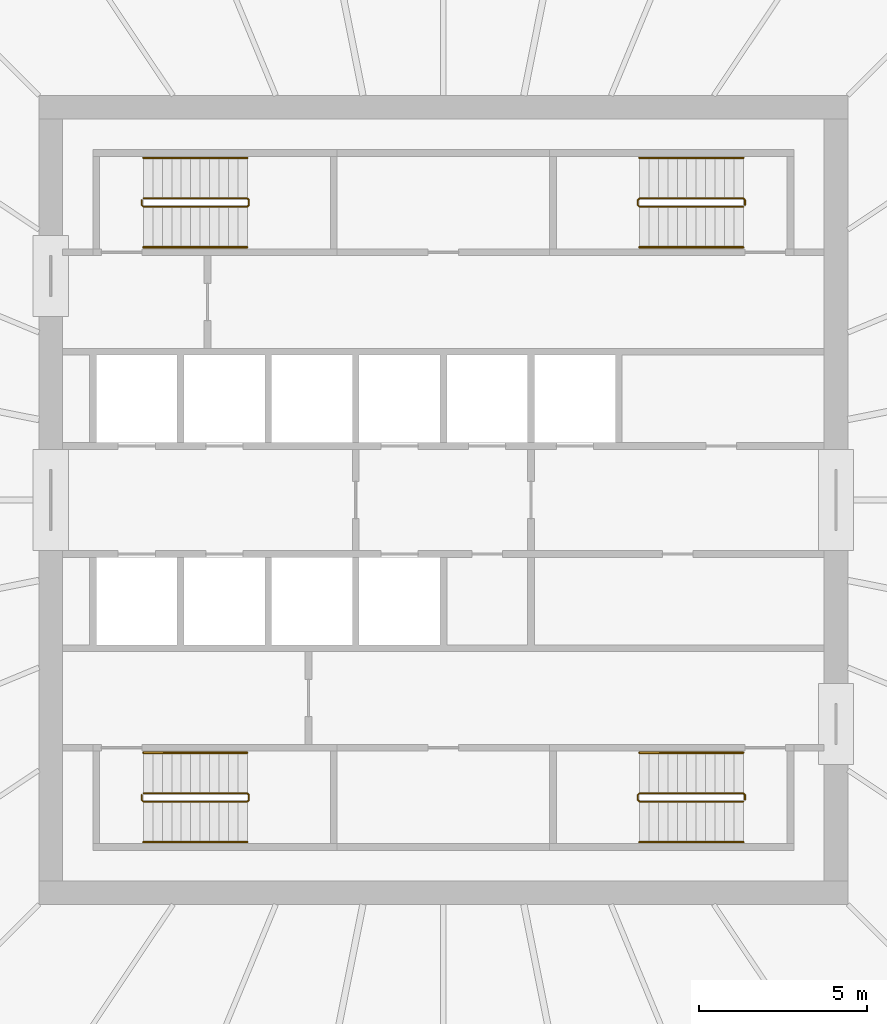
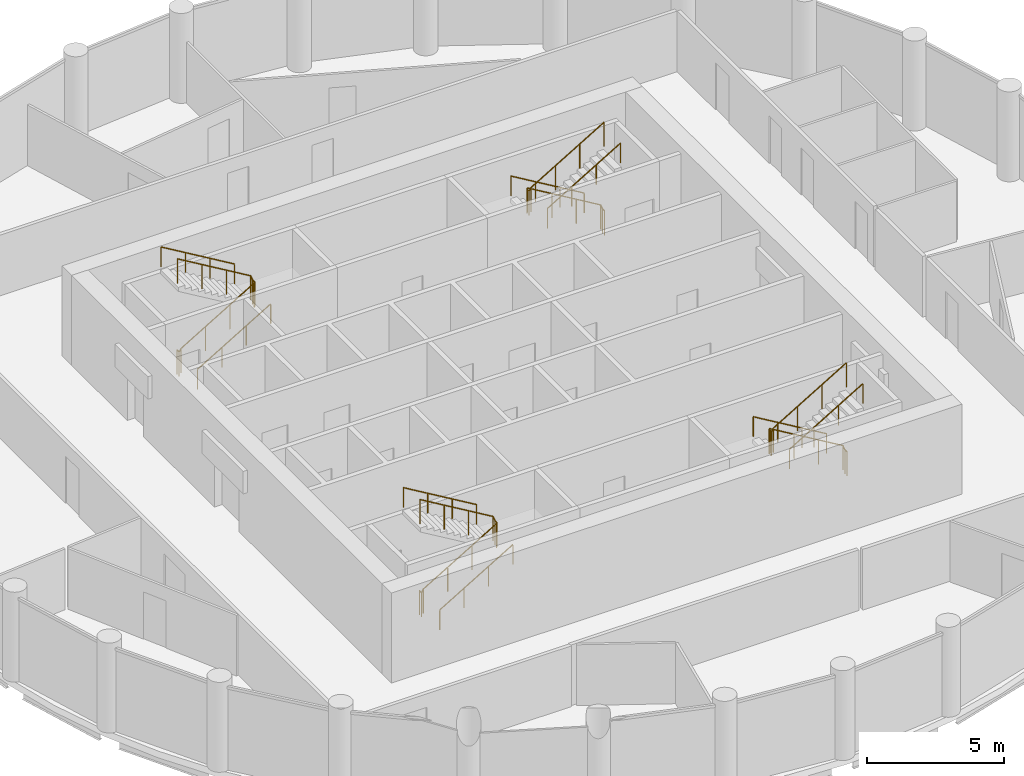
# One storey, part 7 of 7: 12 railings.
"""IFC4 building model written with IfcOpenShell, lengths in metres."""

from ifc_helpers import new_model, si_unit, direction, frame, origin, origin_2d, place, context, subcontext, project, spatial, circle, extrude, material, type_object, element, save


model = new_model("IFC4")

# Units and contexts
model_context = context("Model", 3, precision=1e-05, world=origin(), true_north=direction((0.0, 1.0)))
body_context = subcontext(model_context, "Body", "Model", "MODEL_VIEW")
ifc_project = project(units=[si_unit("LENGTHUNIT", "METRE"), si_unit("AREAUNIT", "SQUARE_METRE"), si_unit("VOLUMEUNIT", "CUBIC_METRE"), si_unit("PLANEANGLEUNIT", "RADIAN"), si_unit("MASSUNIT", "GRAM", prefix="KILO")], contexts=[model_context])

# Site, building, storey
site_placement = place(None, origin())
site = spatial("IfcSite", under=ifc_project, at=site_placement, CompositionType="ELEMENT")
building_placement = place(site_placement, origin())
building = spatial("IfcBuilding", under=site, at=building_placement, Name="Corvane Civic Tower", CompositionType="ELEMENT")
storey_placement = place(building_placement, frame((0.0, 0.0, 283.0)))
storey = spatial("IfcBuildingStorey", under=building, at=storey_placement, Name="L67", CompositionType="ELEMENT", Elevation=283.0)

# Railings
ifc_material_1 = material(Name="Steel ASTM A572 Gr 50", Category="steel")
railing_type_1 = type_object("IfcRailingType", Name="ST-GUARD-1100", PredefinedType="GUARDRAIL", material=ifc_material_1)
railing_1_placement = place(storey_placement, frame((8.949951171875, 8.75, 0.0)))
element("IfcRailing", 1, at=railing_1_placement, inside=storey, type_object=railing_type_1, Name="L67 ST1 stair guard 1", PredefinedType="GUARDRAIL", context=body_context, shape_type="SweptSolid", body=[
    extrude(circle(Radius=0.02392578125, at=origin_2d()), frame((0.0, 0.0, 1.076171875), z_axis=(0.0, 1.0, 0.0), x_axis=(-1.0, 0.0, 0.0)), (0.0, 0.0, 1.0), 0.14990234375),
    extrude(circle(Radius=0.02392578125, at=origin_2d()), frame((0.0, 0.14990234375, 1.076171875), z_axis=(-0.27628659633, 0.27628659633, 0.920506074601), x_axis=(-0.707106781187, -0.707106781187, 0.0)), (0.0, 0.0, 1.0), 0.18115234375),
    extrude(circle(Radius=0.02392578125, at=origin_2d()), frame((-0.050048828125, 0.199951171875, 1.24267578125), z_axis=(-0.859290745958, 0.0, 0.51148745235), x_axis=(0.0, -1.0, 0.0)), (0.0, 0.0, 1.0), 3.584228515625),
    extrude(circle(Radius=0.02392578125, at=origin_2d()), frame((-3.1298828125, 0.199951171875, 3.076171875), z_axis=(-0.707106781187, -0.707106781187, 0.0), x_axis=(0.707106781187, -0.707106781187, 0.0)), (0.0, 0.0, 1.0), 0.07080078125),
    extrude(circle(Radius=0.02392578125, at=origin_2d()), frame((-3.179931640625, 0.14990234375, 3.076171875), z_axis=(0.0, -1.0, 0.0), x_axis=(1.0, 0.0, 0.0)), (0.0, 0.0, 1.0), 0.14990234375),
    extrude(circle(Radius=0.02392578125, at=origin_2d()), frame((-3.179931640625, 0.0, 3.076171875), z_axis=(0.27628659633, -0.27628659633, 0.920506074601), x_axis=(0.707106781187, 0.707106781187, 0.0)), (0.0, 0.0, 1.0), 0.18115234375),
    extrude(circle(Radius=0.02392578125, at=origin_2d()), frame((-3.1298828125, -0.050048828125, 3.24267578125), z_axis=(0.859290745958, 0.0, 0.51148745235), x_axis=(0.0, 1.0, 0.0)), (0.0, 0.0, 1.0), 3.584228515625),
    extrude(circle(Radius=0.02099609375, at=origin_2d()), origin(), (0.0, 0.0, 1.0), 1.052001953125),
    extrude(circle(Radius=0.02099609375, at=origin_2d()), frame((0.0, 0.14990234375, 0.0)), (0.0, 0.0, 1.0), 1.052001953125),
    extrude(circle(Radius=0.02099609375, at=origin_2d()), frame((-0.050048828125, 0.199951171875, 0.166748046875)), (0.0, 0.0, 1.0), 1.052001953125),
    extrude(circle(Radius=0.02099609375, at=origin_2d()), frame((-1.07666015625, 0.199951171875, 0.77783203125)), (0.0, 0.0, 1.0), 1.052001953125),
    extrude(circle(Radius=0.02099609375, at=origin_2d()), frame((-2.103271484375, 0.199951171875, 1.388916015625)), (0.0, 0.0, 1.0), 1.052001953125),
    extrude(circle(Radius=0.02099609375, at=origin_2d()), frame((-3.1298828125, 0.199951171875, 2.0)), (0.0, 0.0, 1.0), 1.052001953125),
    extrude(circle(Radius=0.02099609375, at=origin_2d()), frame((-3.179931640625, 0.14990234375, 2.0)), (0.0, 0.0, 1.0), 1.052001953125),
    extrude(circle(Radius=0.02099609375, at=origin_2d()), frame((-3.179931640625, 0.0, 2.0)), (0.0, 0.0, 1.0), 1.052001953125),
    extrude(circle(Radius=0.02099609375, at=origin_2d()), frame((-3.1298828125, -0.050048828125, 2.166748046875)), (0.0, 0.0, 1.0), 1.052001953125),
    extrude(circle(Radius=0.02099609375, at=origin_2d()), frame((-2.103271484375, -0.050048828125, 2.77783203125)), (0.0, 0.0, 1.0), 1.052001953125),
    extrude(circle(Radius=0.02099609375, at=origin_2d()), frame((-1.07666015625, -0.050048828125, 3.388916015625)), (0.0, 0.0, 1.0), 1.052001953125),
    extrude(circle(Radius=0.02099609375, at=origin_2d()), frame((-0.050048828125, -0.050048828125, 4.0)), (0.0, 0.0, 1.0), 1.052001953125),
])
railing_2_placement = place(storey_placement, frame((8.949951171875, -8.89990234375, 0.0)))
element("IfcRailing", 2, at=railing_2_placement, inside=storey, type_object=railing_type_1, Name="L67 ST2 stair guard 1", PredefinedType="GUARDRAIL", context=body_context, shape_type="SweptSolid", body=[
    extrude(circle(Radius=0.02392578125, at=origin_2d()), frame((0.0, 0.0, 1.076171875), z_axis=(0.0, 1.0, 0.0), x_axis=(-1.0, 0.0, 0.0)), (0.0, 0.0, 1.0), 0.14990234375),
    extrude(circle(Radius=0.02392578125, at=origin_2d()), frame((0.0, 0.14990234375, 1.076171875), z_axis=(-0.27628659633, 0.27628659633, 0.920506074601), x_axis=(-0.707106781187, -0.707106781187, 0.0)), (0.0, 0.0, 1.0), 0.18115234375),
    extrude(circle(Radius=0.02392578125, at=origin_2d()), frame((-0.050048828125, 0.199951171875, 1.24267578125), z_axis=(-0.859290745958, 0.0, 0.51148745235), x_axis=(0.0, -1.0, 0.0)), (0.0, 0.0, 1.0), 3.584228515625),
    extrude(circle(Radius=0.02392578125, at=origin_2d()), frame((-3.1298828125, 0.199951171875, 3.076171875), z_axis=(-0.707106781187, -0.707106781187, 0.0), x_axis=(0.707106781187, -0.707106781187, 0.0)), (0.0, 0.0, 1.0), 0.07080078125),
    extrude(circle(Radius=0.02392578125, at=origin_2d()), frame((-3.179931640625, 0.14990234375, 3.076171875), z_axis=(0.0, -1.0, 0.0), x_axis=(1.0, 0.0, 0.0)), (0.0, 0.0, 1.0), 0.14990234375),
    extrude(circle(Radius=0.02392578125, at=origin_2d()), frame((-3.179931640625, 0.0, 3.076171875), z_axis=(0.27628659633, -0.27628659633, 0.920506074601), x_axis=(0.707106781187, 0.707106781187, 0.0)), (0.0, 0.0, 1.0), 0.18115234375),
    extrude(circle(Radius=0.02392578125, at=origin_2d()), frame((-3.1298828125, -0.050048828125, 3.24267578125), z_axis=(0.859290745958, 0.0, 0.51148745235), x_axis=(0.0, 1.0, 0.0)), (0.0, 0.0, 1.0), 3.584228515625),
    extrude(circle(Radius=0.02099609375, at=origin_2d()), origin(), (0.0, 0.0, 1.0), 1.052001953125),
    extrude(circle(Radius=0.02099609375, at=origin_2d()), frame((0.0, 0.14990234375, 0.0)), (0.0, 0.0, 1.0), 1.052001953125),
    extrude(circle(Radius=0.02099609375, at=origin_2d()), frame((-0.050048828125, 0.199951171875, 0.166748046875)), (0.0, 0.0, 1.0), 1.052001953125),
    extrude(circle(Radius=0.02099609375, at=origin_2d()), frame((-1.07666015625, 0.199951171875, 0.77783203125)), (0.0, 0.0, 1.0), 1.052001953125),
    extrude(circle(Radius=0.02099609375, at=origin_2d()), frame((-2.103271484375, 0.199951171875, 1.388916015625)), (0.0, 0.0, 1.0), 1.052001953125),
    extrude(circle(Radius=0.02099609375, at=origin_2d()), frame((-3.1298828125, 0.199951171875, 2.0)), (0.0, 0.0, 1.0), 1.052001953125),
    extrude(circle(Radius=0.02099609375, at=origin_2d()), frame((-3.179931640625, 0.14990234375, 2.0)), (0.0, 0.0, 1.0), 1.052001953125),
    extrude(circle(Radius=0.02099609375, at=origin_2d()), frame((-3.179931640625, 0.0, 2.0)), (0.0, 0.0, 1.0), 1.052001953125),
    extrude(circle(Radius=0.02099609375, at=origin_2d()), frame((-3.1298828125, -0.050048828125, 2.166748046875)), (0.0, 0.0, 1.0), 1.052001953125),
    extrude(circle(Radius=0.02099609375, at=origin_2d()), frame((-2.103271484375, -0.050048828125, 2.77783203125)), (0.0, 0.0, 1.0), 1.052001953125),
    extrude(circle(Radius=0.02099609375, at=origin_2d()), frame((-1.07666015625, -0.050048828125, 3.388916015625)), (0.0, 0.0, 1.0), 1.052001953125),
    extrude(circle(Radius=0.02099609375, at=origin_2d()), frame((-0.050048828125, -0.050048828125, 4.0)), (0.0, 0.0, 1.0), 1.052001953125),
])
railing_3_placement = place(storey_placement, frame((-8.949951171875, -8.75, 0.0)))
element("IfcRailing", 3, at=railing_3_placement, inside=storey, type_object=railing_type_1, Name="L67 ST3 stair guard 1", PredefinedType="GUARDRAIL", context=body_context, shape_type="SweptSolid", body=[
    extrude(circle(Radius=0.02392578125, at=origin_2d()), frame((0.0, 0.0, 1.076171875), z_axis=(0.0, -1.0, 0.0), x_axis=(1.0, 0.0, 0.0)), (0.0, 0.0, 1.0), 0.14990234375),
    extrude(circle(Radius=0.02392578125, at=origin_2d()), frame((0.0, -0.14990234375, 1.076171875), z_axis=(0.27628659633, -0.27628659633, 0.920506074601), x_axis=(0.707106781187, 0.707106781187, 0.0)), (0.0, 0.0, 1.0), 0.18115234375),
    extrude(circle(Radius=0.02392578125, at=origin_2d()), frame((0.050048828125, -0.199951171875, 1.24267578125), z_axis=(0.859290745958, 0.0, 0.51148745235), x_axis=(0.0, 1.0, 0.0)), (0.0, 0.0, 1.0), 3.584228515625),
    extrude(circle(Radius=0.02392578125, at=origin_2d()), frame((3.1298828125, -0.199951171875, 3.076171875), z_axis=(0.707106781187, 0.707106781187, 0.0), x_axis=(-0.707106781187, 0.707106781187, 0.0)), (0.0, 0.0, 1.0), 0.07080078125),
    extrude(circle(Radius=0.02392578125, at=origin_2d()), frame((3.179931640625, -0.14990234375, 3.076171875), z_axis=(0.0, 1.0, 0.0), x_axis=(-1.0, 0.0, 0.0)), (0.0, 0.0, 1.0), 0.14990234375),
    extrude(circle(Radius=0.02392578125, at=origin_2d()), frame((3.179931640625, 0.0, 3.076171875), z_axis=(-0.27628659633, 0.27628659633, 0.920506074601), x_axis=(-0.707106781187, -0.707106781187, 0.0)), (0.0, 0.0, 1.0), 0.18115234375),
    extrude(circle(Radius=0.02392578125, at=origin_2d()), frame((3.1298828125, 0.050048828125, 3.24267578125), z_axis=(-0.859290745958, 0.0, 0.51148745235), x_axis=(0.0, -1.0, 0.0)), (0.0, 0.0, 1.0), 3.584228515625),
    extrude(circle(Radius=0.02099609375, at=origin_2d()), origin(), (0.0, 0.0, 1.0), 1.052001953125),
    extrude(circle(Radius=0.02099609375, at=origin_2d()), frame((0.0, -0.14990234375, 0.0)), (0.0, 0.0, 1.0), 1.052001953125),
    extrude(circle(Radius=0.02099609375, at=origin_2d()), frame((0.050048828125, -0.199951171875, 0.166748046875)), (0.0, 0.0, 1.0), 1.052001953125),
    extrude(circle(Radius=0.02099609375, at=origin_2d()), frame((1.07666015625, -0.199951171875, 0.77783203125)), (0.0, 0.0, 1.0), 1.052001953125),
    extrude(circle(Radius=0.02099609375, at=origin_2d()), frame((2.103271484375, -0.199951171875, 1.388916015625)), (0.0, 0.0, 1.0), 1.052001953125),
    extrude(circle(Radius=0.02099609375, at=origin_2d()), frame((3.1298828125, -0.199951171875, 2.0)), (0.0, 0.0, 1.0), 1.052001953125),
    extrude(circle(Radius=0.02099609375, at=origin_2d()), frame((3.179931640625, -0.14990234375, 2.0)), (0.0, 0.0, 1.0), 1.052001953125),
    extrude(circle(Radius=0.02099609375, at=origin_2d()), frame((3.179931640625, 0.0, 2.0)), (0.0, 0.0, 1.0), 1.052001953125),
    extrude(circle(Radius=0.02099609375, at=origin_2d()), frame((3.1298828125, 0.050048828125, 2.166748046875)), (0.0, 0.0, 1.0), 1.052001953125),
    extrude(circle(Radius=0.02099609375, at=origin_2d()), frame((2.103271484375, 0.050048828125, 2.77783203125)), (0.0, 0.0, 1.0), 1.052001953125),
    extrude(circle(Radius=0.02099609375, at=origin_2d()), frame((1.07666015625, 0.050048828125, 3.388916015625)), (0.0, 0.0, 1.0), 1.052001953125),
    extrude(circle(Radius=0.02099609375, at=origin_2d()), frame((0.050048828125, 0.050048828125, 4.0)), (0.0, 0.0, 1.0), 1.052001953125),
])
railing_4_placement = place(storey_placement, frame((-8.949951171875, 8.89990234375, 0.0)))
element("IfcRailing", 4, at=railing_4_placement, inside=storey, type_object=railing_type_1, Name="L67 ST4 stair guard 1", PredefinedType="GUARDRAIL", context=body_context, shape_type="SweptSolid", body=[
    extrude(circle(Radius=0.02392578125, at=origin_2d()), frame((0.0, 0.0, 1.076171875), z_axis=(0.0, -1.0, 0.0), x_axis=(1.0, 0.0, 0.0)), (0.0, 0.0, 1.0), 0.14990234375),
    extrude(circle(Radius=0.02392578125, at=origin_2d()), frame((0.0, -0.14990234375, 1.076171875), z_axis=(0.27628659633, -0.27628659633, 0.920506074601), x_axis=(0.707106781187, 0.707106781187, 0.0)), (0.0, 0.0, 1.0), 0.18115234375),
    extrude(circle(Radius=0.02392578125, at=origin_2d()), frame((0.050048828125, -0.199951171875, 1.24267578125), z_axis=(0.859290745958, 0.0, 0.51148745235), x_axis=(0.0, 1.0, 0.0)), (0.0, 0.0, 1.0), 3.584228515625),
    extrude(circle(Radius=0.02392578125, at=origin_2d()), frame((3.1298828125, -0.199951171875, 3.076171875), z_axis=(0.707106781187, 0.707106781187, 0.0), x_axis=(-0.707106781187, 0.707106781187, 0.0)), (0.0, 0.0, 1.0), 0.07080078125),
    extrude(circle(Radius=0.02392578125, at=origin_2d()), frame((3.179931640625, -0.14990234375, 3.076171875), z_axis=(0.0, 1.0, 0.0), x_axis=(-1.0, 0.0, 0.0)), (0.0, 0.0, 1.0), 0.14990234375),
    extrude(circle(Radius=0.02392578125, at=origin_2d()), frame((3.179931640625, 0.0, 3.076171875), z_axis=(-0.27628659633, 0.27628659633, 0.920506074601), x_axis=(-0.707106781187, -0.707106781187, 0.0)), (0.0, 0.0, 1.0), 0.18115234375),
    extrude(circle(Radius=0.02392578125, at=origin_2d()), frame((3.1298828125, 0.050048828125, 3.24267578125), z_axis=(-0.859290745958, 0.0, 0.51148745235), x_axis=(0.0, -1.0, 0.0)), (0.0, 0.0, 1.0), 3.584228515625),
    extrude(circle(Radius=0.02099609375, at=origin_2d()), origin(), (0.0, 0.0, 1.0), 1.052001953125),
    extrude(circle(Radius=0.02099609375, at=origin_2d()), frame((0.0, -0.14990234375, 0.0)), (0.0, 0.0, 1.0), 1.052001953125),
    extrude(circle(Radius=0.02099609375, at=origin_2d()), frame((0.050048828125, -0.199951171875, 0.166748046875)), (0.0, 0.0, 1.0), 1.052001953125),
    extrude(circle(Radius=0.02099609375, at=origin_2d()), frame((1.07666015625, -0.199951171875, 0.77783203125)), (0.0, 0.0, 1.0), 1.052001953125),
    extrude(circle(Radius=0.02099609375, at=origin_2d()), frame((2.103271484375, -0.199951171875, 1.388916015625)), (0.0, 0.0, 1.0), 1.052001953125),
    extrude(circle(Radius=0.02099609375, at=origin_2d()), frame((3.1298828125, -0.199951171875, 2.0)), (0.0, 0.0, 1.0), 1.052001953125),
    extrude(circle(Radius=0.02099609375, at=origin_2d()), frame((3.179931640625, -0.14990234375, 2.0)), (0.0, 0.0, 1.0), 1.052001953125),
    extrude(circle(Radius=0.02099609375, at=origin_2d()), frame((3.179931640625, 0.0, 2.0)), (0.0, 0.0, 1.0), 1.052001953125),
    extrude(circle(Radius=0.02099609375, at=origin_2d()), frame((3.1298828125, 0.050048828125, 2.166748046875)), (0.0, 0.0, 1.0), 1.052001953125),
    extrude(circle(Radius=0.02099609375, at=origin_2d()), frame((2.103271484375, 0.050048828125, 2.77783203125)), (0.0, 0.0, 1.0), 1.052001953125),
    extrude(circle(Radius=0.02099609375, at=origin_2d()), frame((1.07666015625, 0.050048828125, 3.388916015625)), (0.0, 0.0, 1.0), 1.052001953125),
    extrude(circle(Radius=0.02099609375, at=origin_2d()), frame((0.050048828125, 0.050048828125, 4.0)), (0.0, 0.0, 1.0), 1.052001953125),
])
ifc_material_2 = material(Name="Steel ASTM A572 Gr 50", Category="steel")
railing_type_2 = type_object("IfcRailingType", Name="ST-HANDRAIL-900", PredefinedType="HANDRAIL", material=ifc_material_2)
railing_5_placement = place(storey_placement, frame((8.89990234375, 10.14990234375, 0.166748046875)))
element("IfcRailing", 5, at=railing_5_placement, inside=storey, type_object=railing_type_2, Name="L67 ST1 stair handrail 1", PredefinedType="HANDRAIL", context=body_context, shape_type="SweptSolid", body=[
    extrude(circle(Radius=0.02392578125, at=origin_2d()), frame((0.0, 0.0, 0.8759765625), z_axis=(-0.859290745958, 0.0, 0.51148745235), x_axis=(0.0, -1.0, 0.0)), (0.0, 0.0, 1.0), 3.584228515625),
    extrude(circle(Radius=0.02099609375, at=origin_2d()), origin(), (0.0, 0.0, 1.0), 0.851806640625),
    extrude(circle(Radius=0.02099609375, at=origin_2d()), frame((-1.026611328125, 0.0, 0.611083984375)), (0.0, 0.0, 1.0), 0.851806640625),
    extrude(circle(Radius=0.02099609375, at=origin_2d()), frame((-2.05322265625, 0.0, 1.22216796875)), (0.0, 0.0, 1.0), 0.851806640625),
    extrude(circle(Radius=0.02099609375, at=origin_2d()), frame((-3.079833984375, 0.0, 1.833251953125)), (0.0, 0.0, 1.0), 0.851806640625),
])
railing_6_placement = place(storey_placement, frame((5.820068359375, 7.5, 2.166748046875)))
element("IfcRailing", 6, at=railing_6_placement, inside=storey, type_object=railing_type_2, Name="L67 ST1 stair handrail 2", PredefinedType="HANDRAIL", context=body_context, shape_type="SweptSolid", body=[
    extrude(circle(Radius=0.02392578125, at=origin_2d()), frame((0.0, 0.0, 0.8759765625), z_axis=(0.859290745958, 0.0, 0.51148745235), x_axis=(0.0, 1.0, 0.0)), (0.0, 0.0, 1.0), 3.584228515625),
    extrude(circle(Radius=0.02099609375, at=origin_2d()), origin(), (0.0, 0.0, 1.0), 0.851806640625),
    extrude(circle(Radius=0.02099609375, at=origin_2d()), frame((1.026611328125, 0.0, 0.611083984375)), (0.0, 0.0, 1.0), 0.851806640625),
    extrude(circle(Radius=0.02099609375, at=origin_2d()), frame((2.05322265625, 0.0, 1.22216796875)), (0.0, 0.0, 1.0), 0.851806640625),
    extrude(circle(Radius=0.02099609375, at=origin_2d()), frame((3.079833984375, 0.0, 1.833251953125)), (0.0, 0.0, 1.0), 0.851806640625),
])
railing_7_placement = place(storey_placement, frame((8.89990234375, -7.5, 0.166748046875)))
element("IfcRailing", 7, at=railing_7_placement, inside=storey, type_object=railing_type_2, Name="L67 ST2 stair handrail 1", PredefinedType="HANDRAIL", context=body_context, shape_type="SweptSolid", body=[
    extrude(circle(Radius=0.02392578125, at=origin_2d()), frame((0.0, 0.0, 0.8759765625), z_axis=(-0.859290745958, 0.0, 0.51148745235), x_axis=(0.0, -1.0, 0.0)), (0.0, 0.0, 1.0), 3.584228515625),
    extrude(circle(Radius=0.02099609375, at=origin_2d()), origin(), (0.0, 0.0, 1.0), 0.851806640625),
    extrude(circle(Radius=0.02099609375, at=origin_2d()), frame((-1.026611328125, 0.0, 0.611083984375)), (0.0, 0.0, 1.0), 0.851806640625),
    extrude(circle(Radius=0.02099609375, at=origin_2d()), frame((-2.05322265625, 0.0, 1.22216796875)), (0.0, 0.0, 1.0), 0.851806640625),
    extrude(circle(Radius=0.02099609375, at=origin_2d()), frame((-3.079833984375, 0.0, 1.833251953125)), (0.0, 0.0, 1.0), 0.851806640625),
])
for number, where, name in (
    (8, (5.820068359375, -10.14990234375, 2.166748046875), "L67 ST2 stair handrail 2"),
    (9, (-8.89990234375, -10.14990234375, 0.166748046875), "L67 ST3 stair handrail 1"),
):
    element("IfcRailing", number, at=place(storey_placement, frame(where)), inside=storey, type_object=railing_type_2, Name=name, PredefinedType="HANDRAIL", context=body_context, shape_type="SweptSolid", body=[
        extrude(circle(Radius=0.02392578125, at=origin_2d()), frame((0.0, 0.0, 0.8759765625), z_axis=(0.859290745958, 0.0, 0.51148745235), x_axis=(0.0, 1.0, 0.0)), (0.0, 0.0, 1.0), 3.584228515625),
        extrude(circle(Radius=0.02099609375, at=origin_2d()), origin(), (0.0, 0.0, 1.0), 0.851806640625),
        extrude(circle(Radius=0.02099609375, at=origin_2d()), frame((1.026611328125, 0.0, 0.611083984375)), (0.0, 0.0, 1.0), 0.851806640625),
        extrude(circle(Radius=0.02099609375, at=origin_2d()), frame((2.05322265625, 0.0, 1.22216796875)), (0.0, 0.0, 1.0), 0.851806640625),
        extrude(circle(Radius=0.02099609375, at=origin_2d()), frame((3.079833984375, 0.0, 1.833251953125)), (0.0, 0.0, 1.0), 0.851806640625),
    ])
railing_8_placement = place(storey_placement, frame((-5.820068359375, -7.5, 2.166748046875)))
element("IfcRailing", 10, at=railing_8_placement, inside=storey, type_object=railing_type_2, Name="L67 ST3 stair handrail 2", PredefinedType="HANDRAIL", context=body_context, shape_type="SweptSolid", body=[
    extrude(circle(Radius=0.02392578125, at=origin_2d()), frame((0.0, 0.0, 0.8759765625), z_axis=(-0.859290745958, 0.0, 0.51148745235), x_axis=(0.0, -1.0, 0.0)), (0.0, 0.0, 1.0), 3.584228515625),
    extrude(circle(Radius=0.02099609375, at=origin_2d()), origin(), (0.0, 0.0, 1.0), 0.851806640625),
    extrude(circle(Radius=0.02099609375, at=origin_2d()), frame((-1.026611328125, 0.0, 0.611083984375)), (0.0, 0.0, 1.0), 0.851806640625),
    extrude(circle(Radius=0.02099609375, at=origin_2d()), frame((-2.05322265625, 0.0, 1.22216796875)), (0.0, 0.0, 1.0), 0.851806640625),
    extrude(circle(Radius=0.02099609375, at=origin_2d()), frame((-3.079833984375, 0.0, 1.833251953125)), (0.0, 0.0, 1.0), 0.851806640625),
])
railing_9_placement = place(storey_placement, frame((-8.89990234375, 7.5, 0.166748046875)))
element("IfcRailing", 11, at=railing_9_placement, inside=storey, type_object=railing_type_2, Name="L67 ST4 stair handrail 1", PredefinedType="HANDRAIL", context=body_context, shape_type="SweptSolid", body=[
    extrude(circle(Radius=0.02392578125, at=origin_2d()), frame((0.0, 0.0, 0.8759765625), z_axis=(0.859290745958, 0.0, 0.51148745235), x_axis=(0.0, 1.0, 0.0)), (0.0, 0.0, 1.0), 3.584228515625),
    extrude(circle(Radius=0.02099609375, at=origin_2d()), origin(), (0.0, 0.0, 1.0), 0.851806640625),
    extrude(circle(Radius=0.02099609375, at=origin_2d()), frame((1.026611328125, 0.0, 0.611083984375)), (0.0, 0.0, 1.0), 0.851806640625),
    extrude(circle(Radius=0.02099609375, at=origin_2d()), frame((2.05322265625, 0.0, 1.22216796875)), (0.0, 0.0, 1.0), 0.851806640625),
    extrude(circle(Radius=0.02099609375, at=origin_2d()), frame((3.079833984375, 0.0, 1.833251953125)), (0.0, 0.0, 1.0), 0.851806640625),
])
railing_10_placement = place(storey_placement, frame((-5.820068359375, 10.14990234375, 2.166748046875)))
element("IfcRailing", 12, at=railing_10_placement, inside=storey, type_object=railing_type_2, Name="L67 ST4 stair handrail 2", PredefinedType="HANDRAIL", context=body_context, shape_type="SweptSolid", body=[
    extrude(circle(Radius=0.02392578125, at=origin_2d()), frame((0.0, 0.0, 0.8759765625), z_axis=(-0.859290745958, 0.0, 0.51148745235), x_axis=(0.0, -1.0, 0.0)), (0.0, 0.0, 1.0), 3.584228515625),
    extrude(circle(Radius=0.02099609375, at=origin_2d()), origin(), (0.0, 0.0, 1.0), 0.851806640625),
    extrude(circle(Radius=0.02099609375, at=origin_2d()), frame((-1.026611328125, 0.0, 0.611083984375)), (0.0, 0.0, 1.0), 0.851806640625),
    extrude(circle(Radius=0.02099609375, at=origin_2d()), frame((-2.05322265625, 0.0, 1.22216796875)), (0.0, 0.0, 1.0), 0.851806640625),
    extrude(circle(Radius=0.02099609375, at=origin_2d()), frame((-3.079833984375, 0.0, 1.833251953125)), (0.0, 0.0, 1.0), 0.851806640625),
])

save(model, "model.ifc")
